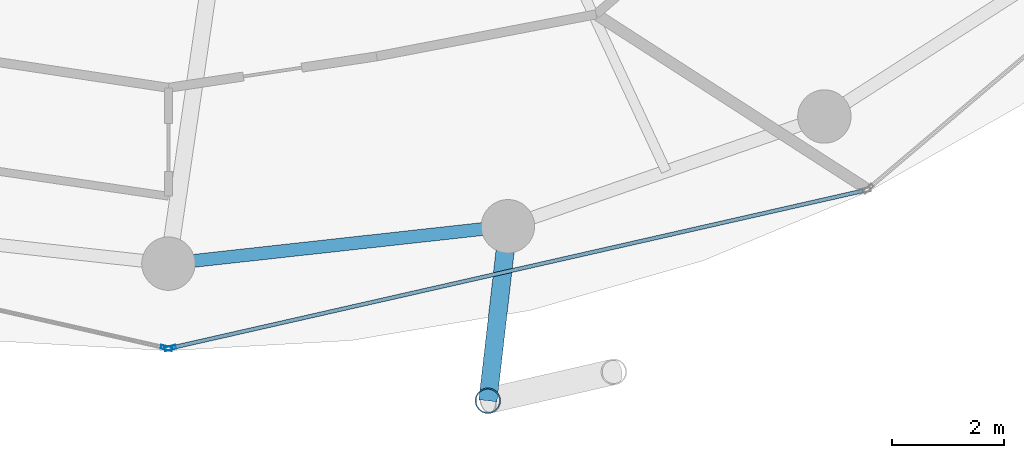
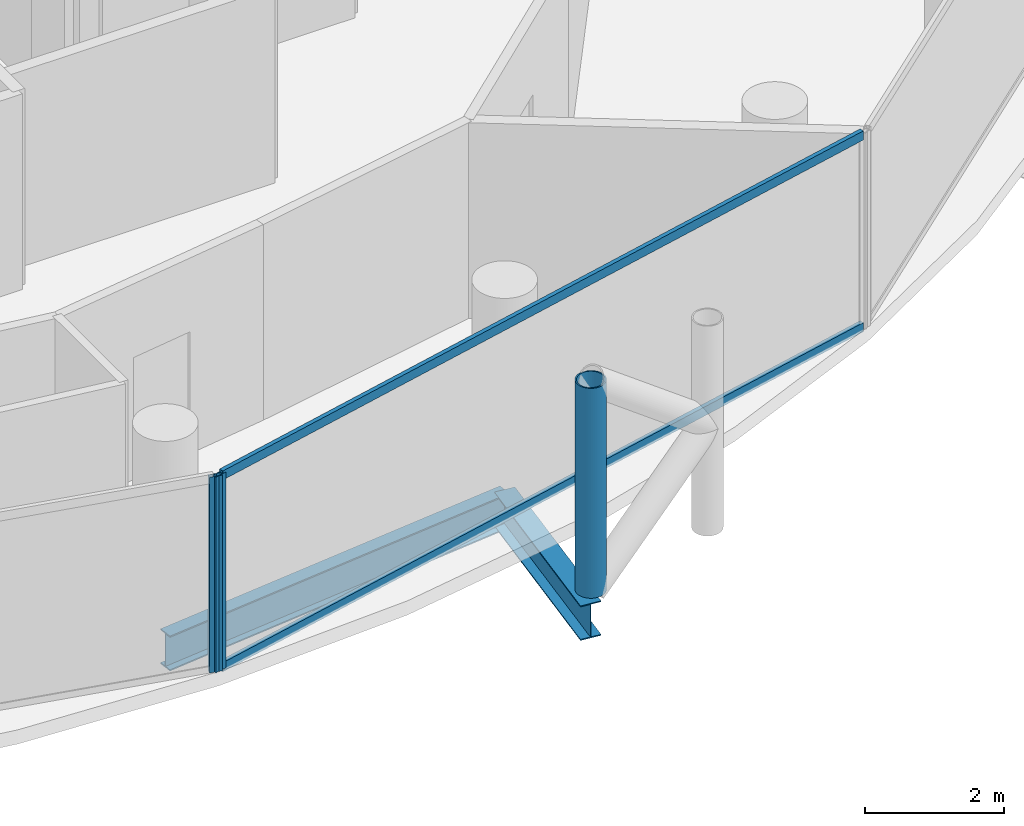
# One storey, part 4 of 26: 5 members, 2 beams, 2 elements without a shape of their own.
"""IFC4 building model written with IfcOpenShell, lengths in metres."""

from ifc_helpers import new_model, si_unit, direction, frame, origin, origin_2d, place, context, subcontext, project, spatial, hollow_rectangle, hollow_circle, i_section, extrude, material, layer, layer_set, material_profile, profile_set, type_object, element, aggregate, save


model = new_model("IFC4")

# Units and contexts
model_context = context("Model", 3, precision=1e-05, world=origin(), true_north=direction((0.0, 1.0)))
body_context = subcontext(model_context, "Body", "Model", "MODEL_VIEW")
ifc_project = project(units=[si_unit("LENGTHUNIT", "METRE"), si_unit("AREAUNIT", "SQUARE_METRE"), si_unit("VOLUMEUNIT", "CUBIC_METRE"), si_unit("PLANEANGLEUNIT", "RADIAN"), si_unit("MASSUNIT", "GRAM", prefix="KILO")], contexts=[model_context])

# Site, building, storey
site_placement = place(None, origin())
site = spatial("IfcSite", under=ifc_project, at=site_placement, CompositionType="ELEMENT")
building_placement = place(site_placement, origin())
building = spatial("IfcBuilding", under=site, at=building_placement, Name="Nuhasar Tower", CompositionType="ELEMENT")
storey_placement = place(building_placement, frame((0.0, 0.0, 173.75)))
storey = spatial("IfcBuildingStorey", under=building, at=storey_placement, Name="L42", CompositionType="ELEMENT", Elevation=173.75)

# Beams
ifc_material_1 = material(Name="Steel S355", Category="steel")
ifc_material_profile_1 = material_profile(ifc_material_1, i_section(OverallWidth=0.22998046875, OverallDepth=0.616943359375, WebThickness=0.01318359375, FlangeThickness=0.022216796875, at=origin_2d()), Name="W24X94")
ifc_profile_set_1 = profile_set([ifc_material_profile_1], Name="Steel S355")
beam_type_1 = type_object("IfcBeamType", Name="BM-RING-W24X94", PredefinedType="SPANDREL", material=ifc_profile_set_1)
beam_1_placement = place(storey_placement, frame((39.0, 7.25, -0.55908203125), z_axis=(0.993981289157, 0.109549974015, 0.0), x_axis=(-0.109549974015, 0.993981289157, 0.0)))
element("IfcBeam", 1, at=beam_1_placement, inside=storey, type_object=beam_type_1, Name="L42 Perimeter Ring Spandrel 19", PredefinedType="SPANDREL", context=body_context, shape_type="SweptSolid", body=[
    extrude(i_section(OverallWidth=0.22998046875, OverallDepth=0.616943359375, WebThickness=0.01318359375, FlangeThickness=0.022216796875, at=origin_2d()), origin(), (0.0, 0.0, 1.0), 6.07958984375),
])
ifc_material_profile_2 = material_profile(ifc_material_1, i_section(OverallWidth=0.323974609375, OverallDepth=0.611083984375, WebThickness=0.0126953125, FlangeThickness=0.01904296875, at=origin_2d()), Name="W24X104")
ifc_profile_set_2 = profile_set([ifc_material_profile_2], Name="Steel S355")
beam_type_2 = type_object("IfcBeamType", Name="BM-TIE-W24X104", PredefinedType="BEAM", material=ifc_profile_set_2)
beam_2_placement = place(storey_placement, frame((45.04296875, 7.916015625, -0.554931640625), z_axis=(-0.114167639647, -0.993461499031, 0.0), x_axis=(0.993461499031, -0.114167639647, 0.0)))
element("IfcBeam", 2, at=beam_2_placement, inside=storey, type_object=beam_type_2, Name="L42 Exoskeleton Node Tie Beam 10", PredefinedType="BEAM", context=body_context, shape_type="SweptSolid", body=[
    extrude(i_section(OverallWidth=0.323974609375, OverallDepth=0.611083984375, WebThickness=0.0126953125, FlangeThickness=0.01904296875, at=origin_2d()), origin(), (0.0, 0.0, 1.0), 3.12646484375),
])

# Curtain wall, member
ifc_material_2 = material(Name="Aluminium 6063-T6", Category="aluminium")
ifc_layer = layer(ifc_material_2, 0.199951171875)
ifc_layer_set = layer_set([ifc_layer], Name="Aluminium 6063-T6")
curtain_wall_type = type_object("IfcCurtainWallType", Name="CW-Z2-HTL", PredefinedType="NOTDEFINED", material=ifc_layer_set)
curtain_wall_1_placement = place(storey_placement, origin())
curtain_wall_1 = element("IfcCurtainWall", 3, at=curtain_wall_1_placement, inside=storey, type_object=curtain_wall_type, Name="L42 Unitised Curtain Wall 09", PredefinedType="NOTDEFINED")
ifc_material_profile_3 = material_profile(ifc_material_2, hollow_rectangle(XDim=0.070068359375, YDim=0.199951171875, WallThickness=0.0048828125, at=origin_2d()), Name="CWM-3")
ifc_profile_set_3 = profile_set([ifc_material_profile_3], Name="Aluminium 6063-T6")
member_type_1 = type_object("IfcMemberType", Name="CW-MUL-S3", PredefinedType="MULLION", material=ifc_profile_set_3)
member_1_placement = place(storey_placement, frame((38.9658203125, 5.747802734375, 0.0), z_axis=(0.0, 0.0, 1.0), x_axis=(0.22139729566, 0.975183694221, 0.0)))
member_1 = element("IfcMember", 4, at=member_1_placement, type_object=member_type_1, Name="CW-Z2 mullion 2", PredefinedType="MULLION", context=body_context, shape_type="SweptSolid", body=[
    extrude(hollow_rectangle(XDim=0.070068359375, YDim=0.199951171875, WallThickness=0.0048828125, at=origin_2d()), origin(), (0.0, 0.0, 1.0), 3.449951171875),
])
aggregate(curtain_wall_1, [member_1])

# Curtain wall, members
curtain_wall_2_placement = place(storey_placement, origin())
curtain_wall_2 = element("IfcCurtainWall", 5, at=curtain_wall_2_placement, inside=storey, type_object=curtain_wall_type, Name="L42 Unitised Curtain Wall 10", PredefinedType="NOTDEFINED")
member_2_placement = place(storey_placement, frame((39.0341796875, 5.747802734375, 0.0), z_axis=(0.0, 0.0, 1.0), x_axis=(-0.22139729566, 0.975183694221, 0.0)))
member_2 = element("IfcMember", 6, at=member_2_placement, type_object=member_type_1, Name="CW-Z2 mullion 1", PredefinedType="MULLION", context=body_context, shape_type="SweptSolid", body=[
    extrude(hollow_rectangle(XDim=0.070068359375, YDim=0.199951171875, WallThickness=0.0048828125, at=origin_2d()), origin(), (0.0, 0.0, 1.0), 3.449951171875),
])
ifc_material_profile_4 = material_profile(ifc_material_2, hollow_rectangle(XDim=0.070068359375, YDim=0.159912109375, WallThickness=0.00439453125, at=origin_2d()), Name="CWT-3")
ifc_profile_set_4 = profile_set([ifc_material_profile_4], Name="Aluminium 6063-T6")
member_type_2 = type_object("IfcMemberType", Name="CW-TRN-S3", PredefinedType="USERDEFINED", material=ifc_profile_set_4)
member_3_placement = place(storey_placement, frame((39.068359375, 5.755615234375, 0.034912109375), z_axis=(0.975187615691, 0.221380022142, 0.0), x_axis=(-0.221380022142, 0.975187615691, 0.0)))
member_3 = element("IfcMember", 7, at=member_3_placement, type_object=member_type_2, Name="CW-Z2 transom 1.1", ObjectType="TRANSOM", PredefinedType="USERDEFINED", context=body_context, shape_type="SweptSolid", body=[
    extrude(hollow_rectangle(XDim=0.070068359375, YDim=0.159912109375, WallThickness=0.00439453125, at=origin_2d()), origin(), (0.0, 0.0, 1.0), 12.606201171875),
])
member_4_placement = place(storey_placement, frame((39.068359375, 5.755615234375, 3.4150390625), z_axis=(0.975187615691, 0.221380022142, 0.0), x_axis=(-0.221380022142, 0.975187615691, 0.0)))
member_4 = element("IfcMember", 8, at=member_4_placement, type_object=member_type_2, Name="CW-Z2 transom 1.2", ObjectType="TRANSOM", PredefinedType="USERDEFINED", context=body_context, shape_type="SweptSolid", body=[
    extrude(hollow_rectangle(XDim=0.070068359375, YDim=0.159912109375, WallThickness=0.00439453125, at=origin_2d()), origin(), (0.0, 0.0, 1.0), 12.606201171875),
])
aggregate(curtain_wall_2, [member_2, member_3, member_4])

# Member
ifc_material_3 = material(Name="Steel S460", Category="steel")
ifc_material_profile_5 = material_profile(ifc_material_3, hollow_circle(Radius=0.228515625, WallThickness=0.022216796875, at=origin_2d()), Name="HSS457X22.2")
ifc_profile_set_5 = profile_set([ifc_material_profile_5], Name="Steel S460")
member_type_3 = type_object("IfcMemberType", Name="EXO-BRONZE-457", PredefinedType="BRACE", material=ifc_profile_set_5)
member_5_placement = place(storey_placement, frame((44.68603515625, 4.81005859375, 0.0), z_axis=(0.0, 0.0, 1.0), x_axis=(1.0, 0.0, 0.0)))
element("IfcMember", 9, at=member_5_placement, inside=storey, type_object=member_type_3, Name="L42 Exoskeleton Chord Column EC-10A", PredefinedType="BRACE", context=body_context, shape_type="SweptSolid", body=[
    extrude(hollow_circle(Radius=0.228515625, WallThickness=0.022216796875, at=origin_2d()), origin(), (0.0, 0.0, 1.0), 3.699951171875),
])

save(model, "model.ifc")
